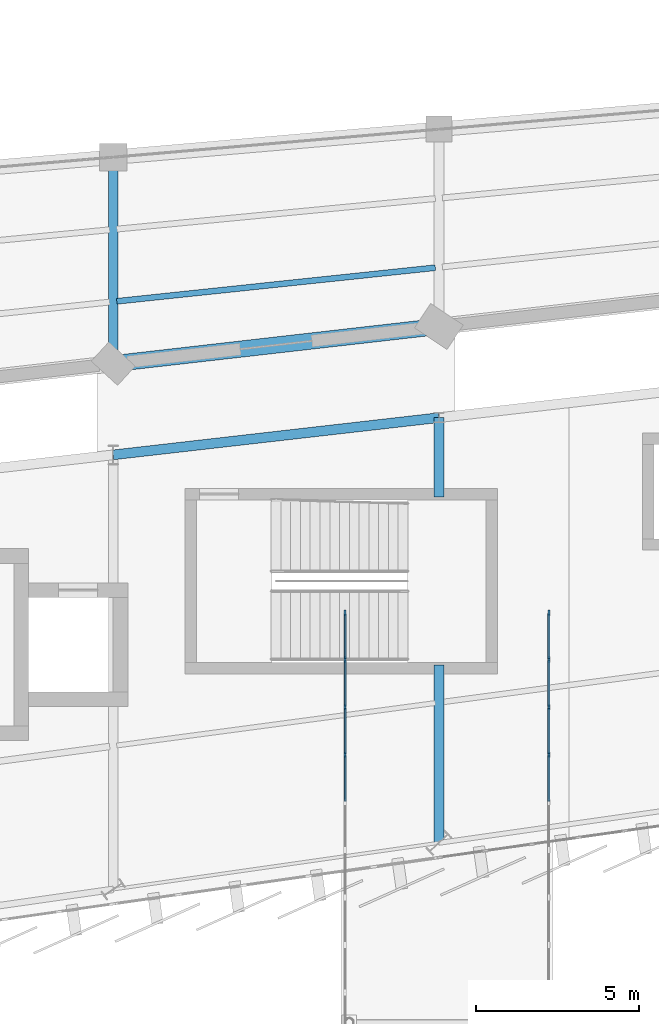
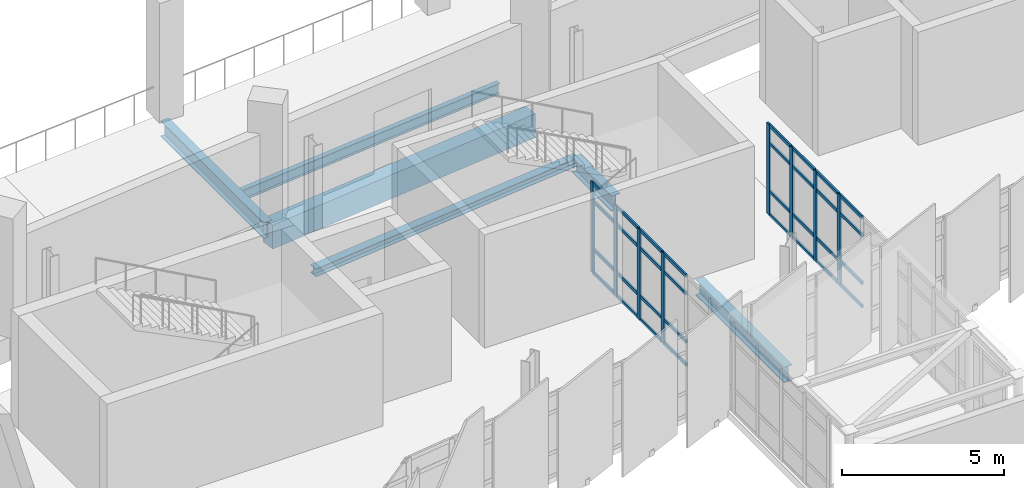
# One storey, part 44 of 125: 40 members, 6 beams, 2 elements without a shape of their own.
"""IFC4 building model written with IfcOpenShell, lengths in metres."""

from ifc_helpers import new_model, si_unit, direction, frame, origin, origin_2d, place, context, subcontext, project, spatial, rectangle, i_section, extrude, material, layer, layer_set, material_profile, profile_set, type_object, element, aggregate, save


model = new_model("IFC4")

# Units and contexts
model_context = context("Model", 3, precision=1e-05, world=origin(), true_north=direction((0.0, 1.0)))
body_context = subcontext(model_context, "Body", "Model", "MODEL_VIEW")
ifc_project = project(units=[si_unit("LENGTHUNIT", "METRE"), si_unit("AREAUNIT", "SQUARE_METRE"), si_unit("VOLUMEUNIT", "CUBIC_METRE"), si_unit("PLANEANGLEUNIT", "RADIAN"), si_unit("MASSUNIT", "GRAM", prefix="KILO")], contexts=[model_context])

# Site, building, storey
site_placement = place(None, origin())
site = spatial("IfcSite", under=ifc_project, at=site_placement, CompositionType="ELEMENT")
building_placement = place(site_placement, origin())
building = spatial("IfcBuilding", under=site, at=building_placement, Name="Sohan Crest Arena", CompositionType="ELEMENT")
storey_placement = place(building_placement, frame((0.0, 0.0, 9.0)))
storey = spatial("IfcBuildingStorey", under=building, at=storey_placement, Name="L02", CompositionType="ELEMENT", Elevation=9.0)

# Curtain wall, members
ifc_material_1 = material(Name="Thermally broken anodised aluminium", Category="aluminium")
ifc_layer = layer(ifc_material_1, 0.18994140625, Name="Thermally broken anodised aluminium")
ifc_layer_set = layer_set([ifc_layer], Name="Thermally broken anodised aluminium")
curtain_wall_type = type_object("IfcCurtainWallType", Name="ARC-CW05", PredefinedType="NOTDEFINED", material=ifc_layer_set)
curtain_wall_1_placement = place(storey_placement, origin())
curtain_wall_1 = element("IfcCurtainWall", 1, at=curtain_wall_1_placement, inside=storey, type_object=curtain_wall_type, Name="Unitised curtain wall CW-257", PredefinedType="NOTDEFINED")
ifc_material_profile_1 = material_profile(ifc_material_1, rectangle(XDim=0.06494140625, YDim=0.179931640625, at=origin_2d()), Name="ALU-MULL 65x180")
ifc_profile_set_1 = profile_set([ifc_material_profile_1], Name="Thermally broken anodised aluminium")
member_type_1 = type_object("IfcMemberType", Name="ARC-CW-ML02", PredefinedType="MULLION", material=ifc_profile_set_1)
member_1_placement = place(storey_placement, frame((135.1201171875, 38.419921875, 0.0), z_axis=(0.0, 0.0, 1.0), x_axis=(-1.0, 0.0, 0.0)))
member_1 = element("IfcMember", 2, at=member_1_placement, type_object=member_type_1, Name="CW-257 mullion 8", PredefinedType="MULLION", context=body_context, shape_type="SweptSolid", body=[
    extrude(rectangle(XDim=0.06494140625, YDim=0.179931640625, at=origin_2d()), origin(), (0.0, 0.0, 1.0), 3.39990234375),
])
member_2_placement = place(storey_placement, frame((135.1201171875, 39.8798828125, 0.0), z_axis=(0.0, 0.0, 1.0), x_axis=(-1.0, 0.0, 0.0)))
member_2 = element("IfcMember", 3, at=member_2_placement, type_object=member_type_1, Name="CW-257 mullion 9", PredefinedType="MULLION", context=body_context, shape_type="SweptSolid", body=[
    extrude(rectangle(XDim=0.06494140625, YDim=0.179931640625, at=origin_2d()), origin(), (0.0, 0.0, 1.0), 3.39990234375),
])
member_3_placement = place(storey_placement, frame((135.1201171875, 41.340087890625, 0.0), z_axis=(0.0, 0.0, 1.0), x_axis=(-1.0, 0.0, 0.0)))
member_3 = element("IfcMember", 4, at=member_3_placement, type_object=member_type_1, Name="CW-257 mullion 10", PredefinedType="MULLION", context=body_context, shape_type="SweptSolid", body=[
    extrude(rectangle(XDim=0.06494140625, YDim=0.179931640625, at=origin_2d()), origin(), (0.0, 0.0, 1.0), 3.39990234375),
])
member_4_placement = place(storey_placement, frame((135.1201171875, 42.767578125, 0.0), z_axis=(0.0, 0.0, 1.0), x_axis=(-1.0, 0.0, 0.0)))
member_4 = element("IfcMember", 5, at=member_4_placement, type_object=member_type_1, Name="CW-257 mullion 11", PredefinedType="MULLION", context=body_context, shape_type="SweptSolid", body=[
    extrude(rectangle(XDim=0.06494140625, YDim=0.179931640625, at=origin_2d()), origin(), (0.0, 0.0, 1.0), 3.39990234375),
])

curtain_wall_2_placement = place(storey_placement, origin())
curtain_wall_2 = element("IfcCurtainWall", 6, at=curtain_wall_2_placement, inside=storey, type_object=curtain_wall_type, Name="Unitised curtain wall CW-258", PredefinedType="NOTDEFINED")
member_5_placement = place(storey_placement, frame((141.3798828125, 38.419921875, 0.0), z_axis=(0.0, 0.0, 1.0), x_axis=(-1.0, 0.0, 0.0)))
member_5 = element("IfcMember", 7, at=member_5_placement, type_object=member_type_1, Name="CW-258 mullion 8", PredefinedType="MULLION", context=body_context, shape_type="SweptSolid", body=[
    extrude(rectangle(XDim=0.06494140625, YDim=0.179931640625, at=origin_2d()), origin(), (0.0, 0.0, 1.0), 3.39990234375),
])
member_6_placement = place(storey_placement, frame((141.3798828125, 39.8798828125, 0.0), z_axis=(0.0, 0.0, 1.0), x_axis=(-1.0, 0.0, 0.0)))
member_6 = element("IfcMember", 8, at=member_6_placement, type_object=member_type_1, Name="CW-258 mullion 9", PredefinedType="MULLION", context=body_context, shape_type="SweptSolid", body=[
    extrude(rectangle(XDim=0.06494140625, YDim=0.179931640625, at=origin_2d()), origin(), (0.0, 0.0, 1.0), 3.39990234375),
])
member_7_placement = place(storey_placement, frame((141.3798828125, 41.340087890625, 0.0), z_axis=(0.0, 0.0, 1.0), x_axis=(-1.0, 0.0, 0.0)))
member_7 = element("IfcMember", 9, at=member_7_placement, type_object=member_type_1, Name="CW-258 mullion 10", PredefinedType="MULLION", context=body_context, shape_type="SweptSolid", body=[
    extrude(rectangle(XDim=0.06494140625, YDim=0.179931640625, at=origin_2d()), origin(), (0.0, 0.0, 1.0), 3.39990234375),
])
member_8_placement = place(storey_placement, frame((141.3798828125, 42.767578125, 0.0), z_axis=(0.0, 0.0, 1.0), x_axis=(-1.0, 0.0, 0.0)))
member_8 = element("IfcMember", 10, at=member_8_placement, type_object=member_type_1, Name="CW-258 mullion 11", PredefinedType="MULLION", context=body_context, shape_type="SweptSolid", body=[
    extrude(rectangle(XDim=0.06494140625, YDim=0.179931640625, at=origin_2d()), origin(), (0.0, 0.0, 1.0), 3.39990234375),
])

# Member
ifc_material_profile_2 = material_profile(ifc_material_1, rectangle(XDim=0.06005859375, YDim=0.1201171875, at=origin_2d()), Name="ALU-TRAN 60x120")
ifc_profile_set_2 = profile_set([ifc_material_profile_2], Name="Thermally broken anodised aluminium")
member_type_2 = type_object("IfcMemberType", Name="ARC-CW-TR01", PredefinedType="USERDEFINED", material=ifc_profile_set_2)
member_9_placement = place(storey_placement, frame((135.1201171875, 36.992431640625, 0.030029296875), z_axis=(0.0, 1.0, 0.0), x_axis=(-1.0, 0.0, 0.0)))
member_9 = element("IfcMember", 11, at=member_9_placement, type_object=member_type_2, Name="CW-257 transom 7.1", ObjectType="TRANSOM", PredefinedType="USERDEFINED", context=body_context, shape_type="SweptSolid", body=[
    extrude(rectangle(XDim=0.06005859375, YDim=0.1201171875, at=origin_2d()), origin(), (0.0, 0.0, 1.0), 1.39501953125),
])

member_10_placement = place(storey_placement, frame((135.1201171875, 36.992431640625, 0.89990234375), z_axis=(0.0, 1.0, 0.0), x_axis=(-1.0, 0.0, 0.0)))
member_10 = element("IfcMember", 12, at=member_10_placement, type_object=member_type_2, Name="CW-257 transom 7.2", ObjectType="TRANSOM", PredefinedType="USERDEFINED", context=body_context, shape_type="SweptSolid", body=[
    extrude(rectangle(XDim=0.06005859375, YDim=0.1201171875, at=origin_2d()), origin(), (0.0, 0.0, 1.0), 1.39501953125),
])

member_11_placement = place(storey_placement, frame((135.1201171875, 36.992431640625, 2.699951171875), z_axis=(0.0, 1.0, 0.0), x_axis=(-1.0, 0.0, 0.0)))
member_11 = element("IfcMember", 13, at=member_11_placement, type_object=member_type_2, Name="CW-257 transom 7.3", ObjectType="TRANSOM", PredefinedType="USERDEFINED", context=body_context, shape_type="SweptSolid", body=[
    extrude(rectangle(XDim=0.06005859375, YDim=0.1201171875, at=origin_2d()), origin(), (0.0, 0.0, 1.0), 1.39501953125),
])

member_12_placement = place(storey_placement, frame((135.1201171875, 36.992431640625, 3.3701171875), z_axis=(0.0, 1.0, 0.0), x_axis=(-1.0, 0.0, 0.0)))
member_12 = element("IfcMember", 14, at=member_12_placement, type_object=member_type_2, Name="CW-257 transom 7.4", ObjectType="TRANSOM", PredefinedType="USERDEFINED", context=body_context, shape_type="SweptSolid", body=[
    extrude(rectangle(XDim=0.06005859375, YDim=0.1201171875, at=origin_2d()), origin(), (0.0, 0.0, 1.0), 1.39501953125),
])

member_13_placement = place(storey_placement, frame((135.1201171875, 38.452392578125, 0.030029296875), z_axis=(0.0, 1.0, 0.0), x_axis=(-1.0, 0.0, 0.0)))
member_13 = element("IfcMember", 15, at=member_13_placement, type_object=member_type_2, Name="CW-257 transom 8.1", ObjectType="TRANSOM", PredefinedType="USERDEFINED", context=body_context, shape_type="SweptSolid", body=[
    extrude(rectangle(XDim=0.06005859375, YDim=0.1201171875, at=origin_2d()), origin(), (0.0, 0.0, 1.0), 1.39501953125),
])

member_14_placement = place(storey_placement, frame((135.1201171875, 38.452392578125, 0.89990234375), z_axis=(0.0, 1.0, 0.0), x_axis=(-1.0, 0.0, 0.0)))
member_14 = element("IfcMember", 16, at=member_14_placement, type_object=member_type_2, Name="CW-257 transom 8.2", ObjectType="TRANSOM", PredefinedType="USERDEFINED", context=body_context, shape_type="SweptSolid", body=[
    extrude(rectangle(XDim=0.06005859375, YDim=0.1201171875, at=origin_2d()), origin(), (0.0, 0.0, 1.0), 1.39501953125),
])

member_15_placement = place(storey_placement, frame((135.1201171875, 38.452392578125, 2.699951171875), z_axis=(0.0, 1.0, 0.0), x_axis=(-1.0, 0.0, 0.0)))
member_15 = element("IfcMember", 17, at=member_15_placement, type_object=member_type_2, Name="CW-257 transom 8.3", ObjectType="TRANSOM", PredefinedType="USERDEFINED", context=body_context, shape_type="SweptSolid", body=[
    extrude(rectangle(XDim=0.06005859375, YDim=0.1201171875, at=origin_2d()), origin(), (0.0, 0.0, 1.0), 1.39501953125),
])

member_16_placement = place(storey_placement, frame((135.1201171875, 38.452392578125, 3.3701171875), z_axis=(0.0, 1.0, 0.0), x_axis=(-1.0, 0.0, 0.0)))
member_16 = element("IfcMember", 18, at=member_16_placement, type_object=member_type_2, Name="CW-257 transom 8.4", ObjectType="TRANSOM", PredefinedType="USERDEFINED", context=body_context, shape_type="SweptSolid", body=[
    extrude(rectangle(XDim=0.06005859375, YDim=0.1201171875, at=origin_2d()), origin(), (0.0, 0.0, 1.0), 1.39501953125),
])

member_17_placement = place(storey_placement, frame((135.1201171875, 39.91259765625, 0.030029296875), z_axis=(0.0, 1.0, 0.0), x_axis=(-1.0, 0.0, 0.0)))
member_17 = element("IfcMember", 19, at=member_17_placement, type_object=member_type_2, Name="CW-257 transom 9.1", ObjectType="TRANSOM", PredefinedType="USERDEFINED", context=body_context, shape_type="SweptSolid", body=[
    extrude(rectangle(XDim=0.06005859375, YDim=0.1201171875, at=origin_2d()), origin(), (0.0, 0.0, 1.0), 1.39501953125),
])

member_18_placement = place(storey_placement, frame((135.1201171875, 39.91259765625, 0.89990234375), z_axis=(0.0, 1.0, 0.0), x_axis=(-1.0, 0.0, 0.0)))
member_18 = element("IfcMember", 20, at=member_18_placement, type_object=member_type_2, Name="CW-257 transom 9.2", ObjectType="TRANSOM", PredefinedType="USERDEFINED", context=body_context, shape_type="SweptSolid", body=[
    extrude(rectangle(XDim=0.06005859375, YDim=0.1201171875, at=origin_2d()), origin(), (0.0, 0.0, 1.0), 1.39501953125),
])

member_19_placement = place(storey_placement, frame((135.1201171875, 39.91259765625, 2.699951171875), z_axis=(0.0, 1.0, 0.0), x_axis=(-1.0, 0.0, 0.0)))
member_19 = element("IfcMember", 21, at=member_19_placement, type_object=member_type_2, Name="CW-257 transom 9.3", ObjectType="TRANSOM", PredefinedType="USERDEFINED", context=body_context, shape_type="SweptSolid", body=[
    extrude(rectangle(XDim=0.06005859375, YDim=0.1201171875, at=origin_2d()), origin(), (0.0, 0.0, 1.0), 1.39501953125),
])

member_20_placement = place(storey_placement, frame((135.1201171875, 39.91259765625, 3.3701171875), z_axis=(0.0, 1.0, 0.0), x_axis=(-1.0, 0.0, 0.0)))
member_20 = element("IfcMember", 22, at=member_20_placement, type_object=member_type_2, Name="CW-257 transom 9.4", ObjectType="TRANSOM", PredefinedType="USERDEFINED", context=body_context, shape_type="SweptSolid", body=[
    extrude(rectangle(XDim=0.06005859375, YDim=0.1201171875, at=origin_2d()), origin(), (0.0, 0.0, 1.0), 1.39501953125),
])

member_21_placement = place(storey_placement, frame((135.1201171875, 41.37255859375, 0.030029296875), z_axis=(0.0, 1.0, 0.0), x_axis=(-1.0, 0.0, 0.0)))
member_21 = element("IfcMember", 23, at=member_21_placement, type_object=member_type_2, Name="CW-257 transom 10.1", ObjectType="TRANSOM", PredefinedType="USERDEFINED", context=body_context, shape_type="SweptSolid", body=[
    extrude(rectangle(XDim=0.06005859375, YDim=0.1201171875, at=origin_2d()), origin(), (0.0, 0.0, 1.0), 1.362548828125),
])

member_22_placement = place(storey_placement, frame((135.1201171875, 41.37255859375, 0.89990234375), z_axis=(0.0, 1.0, 0.0), x_axis=(-1.0, 0.0, 0.0)))
member_22 = element("IfcMember", 24, at=member_22_placement, type_object=member_type_2, Name="CW-257 transom 10.2", ObjectType="TRANSOM", PredefinedType="USERDEFINED", context=body_context, shape_type="SweptSolid", body=[
    extrude(rectangle(XDim=0.06005859375, YDim=0.1201171875, at=origin_2d()), origin(), (0.0, 0.0, 1.0), 1.362548828125),
])

member_23_placement = place(storey_placement, frame((135.1201171875, 41.37255859375, 2.699951171875), z_axis=(0.0, 1.0, 0.0), x_axis=(-1.0, 0.0, 0.0)))
member_23 = element("IfcMember", 25, at=member_23_placement, type_object=member_type_2, Name="CW-257 transom 10.3", ObjectType="TRANSOM", PredefinedType="USERDEFINED", context=body_context, shape_type="SweptSolid", body=[
    extrude(rectangle(XDim=0.06005859375, YDim=0.1201171875, at=origin_2d()), origin(), (0.0, 0.0, 1.0), 1.362548828125),
])

member_24_placement = place(storey_placement, frame((135.1201171875, 41.37255859375, 3.3701171875), z_axis=(0.0, 1.0, 0.0), x_axis=(-1.0, 0.0, 0.0)))
member_24 = element("IfcMember", 26, at=member_24_placement, type_object=member_type_2, Name="CW-257 transom 10.4", ObjectType="TRANSOM", PredefinedType="USERDEFINED", context=body_context, shape_type="SweptSolid", body=[
    extrude(rectangle(XDim=0.06005859375, YDim=0.1201171875, at=origin_2d()), origin(), (0.0, 0.0, 1.0), 1.362548828125),
])

aggregate(curtain_wall_1, [member_1, member_2, member_3, member_4, member_9, member_10, member_11, member_12, member_13, member_14, member_15, member_16, member_17, member_18, member_19, member_20, member_21, member_22, member_23, member_24])

member_25_placement = place(storey_placement, frame((141.3798828125, 36.992431640625, 0.030029296875), z_axis=(0.0, 1.0, 0.0), x_axis=(-1.0, 0.0, 0.0)))
member_25 = element("IfcMember", 27, at=member_25_placement, type_object=member_type_2, Name="CW-258 transom 7.1", ObjectType="TRANSOM", PredefinedType="USERDEFINED", context=body_context, shape_type="SweptSolid", body=[
    extrude(rectangle(XDim=0.06005859375, YDim=0.1201171875, at=origin_2d()), origin(), (0.0, 0.0, 1.0), 1.39501953125),
])

member_26_placement = place(storey_placement, frame((141.3798828125, 36.992431640625, 0.89990234375), z_axis=(0.0, 1.0, 0.0), x_axis=(-1.0, 0.0, 0.0)))
member_26 = element("IfcMember", 28, at=member_26_placement, type_object=member_type_2, Name="CW-258 transom 7.2", ObjectType="TRANSOM", PredefinedType="USERDEFINED", context=body_context, shape_type="SweptSolid", body=[
    extrude(rectangle(XDim=0.06005859375, YDim=0.1201171875, at=origin_2d()), origin(), (0.0, 0.0, 1.0), 1.39501953125),
])

member_27_placement = place(storey_placement, frame((141.3798828125, 36.992431640625, 2.699951171875), z_axis=(0.0, 1.0, 0.0), x_axis=(-1.0, 0.0, 0.0)))
member_27 = element("IfcMember", 29, at=member_27_placement, type_object=member_type_2, Name="CW-258 transom 7.3", ObjectType="TRANSOM", PredefinedType="USERDEFINED", context=body_context, shape_type="SweptSolid", body=[
    extrude(rectangle(XDim=0.06005859375, YDim=0.1201171875, at=origin_2d()), origin(), (0.0, 0.0, 1.0), 1.39501953125),
])

member_28_placement = place(storey_placement, frame((141.3798828125, 36.992431640625, 3.3701171875), z_axis=(0.0, 1.0, 0.0), x_axis=(-1.0, 0.0, 0.0)))
member_28 = element("IfcMember", 30, at=member_28_placement, type_object=member_type_2, Name="CW-258 transom 7.4", ObjectType="TRANSOM", PredefinedType="USERDEFINED", context=body_context, shape_type="SweptSolid", body=[
    extrude(rectangle(XDim=0.06005859375, YDim=0.1201171875, at=origin_2d()), origin(), (0.0, 0.0, 1.0), 1.39501953125),
])

member_29_placement = place(storey_placement, frame((141.3798828125, 38.452392578125, 0.030029296875), z_axis=(0.0, 1.0, 0.0), x_axis=(-1.0, 0.0, 0.0)))
member_29 = element("IfcMember", 31, at=member_29_placement, type_object=member_type_2, Name="CW-258 transom 8.1", ObjectType="TRANSOM", PredefinedType="USERDEFINED", context=body_context, shape_type="SweptSolid", body=[
    extrude(rectangle(XDim=0.06005859375, YDim=0.1201171875, at=origin_2d()), origin(), (0.0, 0.0, 1.0), 1.39501953125),
])

member_30_placement = place(storey_placement, frame((141.3798828125, 38.452392578125, 0.89990234375), z_axis=(0.0, 1.0, 0.0), x_axis=(-1.0, 0.0, 0.0)))
member_30 = element("IfcMember", 32, at=member_30_placement, type_object=member_type_2, Name="CW-258 transom 8.2", ObjectType="TRANSOM", PredefinedType="USERDEFINED", context=body_context, shape_type="SweptSolid", body=[
    extrude(rectangle(XDim=0.06005859375, YDim=0.1201171875, at=origin_2d()), origin(), (0.0, 0.0, 1.0), 1.39501953125),
])

member_31_placement = place(storey_placement, frame((141.3798828125, 38.452392578125, 2.699951171875), z_axis=(0.0, 1.0, 0.0), x_axis=(-1.0, 0.0, 0.0)))
member_31 = element("IfcMember", 33, at=member_31_placement, type_object=member_type_2, Name="CW-258 transom 8.3", ObjectType="TRANSOM", PredefinedType="USERDEFINED", context=body_context, shape_type="SweptSolid", body=[
    extrude(rectangle(XDim=0.06005859375, YDim=0.1201171875, at=origin_2d()), origin(), (0.0, 0.0, 1.0), 1.39501953125),
])

member_32_placement = place(storey_placement, frame((141.3798828125, 38.452392578125, 3.3701171875), z_axis=(0.0, 1.0, 0.0), x_axis=(-1.0, 0.0, 0.0)))
member_32 = element("IfcMember", 34, at=member_32_placement, type_object=member_type_2, Name="CW-258 transom 8.4", ObjectType="TRANSOM", PredefinedType="USERDEFINED", context=body_context, shape_type="SweptSolid", body=[
    extrude(rectangle(XDim=0.06005859375, YDim=0.1201171875, at=origin_2d()), origin(), (0.0, 0.0, 1.0), 1.39501953125),
])

member_33_placement = place(storey_placement, frame((141.3798828125, 39.91259765625, 0.030029296875), z_axis=(0.0, 1.0, 0.0), x_axis=(-1.0, 0.0, 0.0)))
member_33 = element("IfcMember", 35, at=member_33_placement, type_object=member_type_2, Name="CW-258 transom 9.1", ObjectType="TRANSOM", PredefinedType="USERDEFINED", context=body_context, shape_type="SweptSolid", body=[
    extrude(rectangle(XDim=0.06005859375, YDim=0.1201171875, at=origin_2d()), origin(), (0.0, 0.0, 1.0), 1.39501953125),
])

member_34_placement = place(storey_placement, frame((141.3798828125, 39.91259765625, 0.89990234375), z_axis=(0.0, 1.0, 0.0), x_axis=(-1.0, 0.0, 0.0)))
member_34 = element("IfcMember", 36, at=member_34_placement, type_object=member_type_2, Name="CW-258 transom 9.2", ObjectType="TRANSOM", PredefinedType="USERDEFINED", context=body_context, shape_type="SweptSolid", body=[
    extrude(rectangle(XDim=0.06005859375, YDim=0.1201171875, at=origin_2d()), origin(), (0.0, 0.0, 1.0), 1.39501953125),
])

member_35_placement = place(storey_placement, frame((141.3798828125, 39.91259765625, 2.699951171875), z_axis=(0.0, 1.0, 0.0), x_axis=(-1.0, 0.0, 0.0)))
member_35 = element("IfcMember", 37, at=member_35_placement, type_object=member_type_2, Name="CW-258 transom 9.3", ObjectType="TRANSOM", PredefinedType="USERDEFINED", context=body_context, shape_type="SweptSolid", body=[
    extrude(rectangle(XDim=0.06005859375, YDim=0.1201171875, at=origin_2d()), origin(), (0.0, 0.0, 1.0), 1.39501953125),
])

member_36_placement = place(storey_placement, frame((141.3798828125, 39.91259765625, 3.3701171875), z_axis=(0.0, 1.0, 0.0), x_axis=(-1.0, 0.0, 0.0)))
member_36 = element("IfcMember", 38, at=member_36_placement, type_object=member_type_2, Name="CW-258 transom 9.4", ObjectType="TRANSOM", PredefinedType="USERDEFINED", context=body_context, shape_type="SweptSolid", body=[
    extrude(rectangle(XDim=0.06005859375, YDim=0.1201171875, at=origin_2d()), origin(), (0.0, 0.0, 1.0), 1.39501953125),
])

member_37_placement = place(storey_placement, frame((141.3798828125, 41.37255859375, 0.030029296875), z_axis=(0.0, 1.0, 0.0), x_axis=(-1.0, 0.0, 0.0)))
member_37 = element("IfcMember", 39, at=member_37_placement, type_object=member_type_2, Name="CW-258 transom 10.1", ObjectType="TRANSOM", PredefinedType="USERDEFINED", context=body_context, shape_type="SweptSolid", body=[
    extrude(rectangle(XDim=0.06005859375, YDim=0.1201171875, at=origin_2d()), origin(), (0.0, 0.0, 1.0), 1.362548828125),
])

member_38_placement = place(storey_placement, frame((141.3798828125, 41.37255859375, 0.89990234375), z_axis=(0.0, 1.0, 0.0), x_axis=(-1.0, 0.0, 0.0)))
member_38 = element("IfcMember", 40, at=member_38_placement, type_object=member_type_2, Name="CW-258 transom 10.2", ObjectType="TRANSOM", PredefinedType="USERDEFINED", context=body_context, shape_type="SweptSolid", body=[
    extrude(rectangle(XDim=0.06005859375, YDim=0.1201171875, at=origin_2d()), origin(), (0.0, 0.0, 1.0), 1.362548828125),
])

member_39_placement = place(storey_placement, frame((141.3798828125, 41.37255859375, 2.699951171875), z_axis=(0.0, 1.0, 0.0), x_axis=(-1.0, 0.0, 0.0)))
member_39 = element("IfcMember", 41, at=member_39_placement, type_object=member_type_2, Name="CW-258 transom 10.3", ObjectType="TRANSOM", PredefinedType="USERDEFINED", context=body_context, shape_type="SweptSolid", body=[
    extrude(rectangle(XDim=0.06005859375, YDim=0.1201171875, at=origin_2d()), origin(), (0.0, 0.0, 1.0), 1.362548828125),
])

member_40_placement = place(storey_placement, frame((141.3798828125, 41.37255859375, 3.3701171875), z_axis=(0.0, 1.0, 0.0), x_axis=(-1.0, 0.0, 0.0)))
member_40 = element("IfcMember", 42, at=member_40_placement, type_object=member_type_2, Name="CW-258 transom 10.4", ObjectType="TRANSOM", PredefinedType="USERDEFINED", context=body_context, shape_type="SweptSolid", body=[
    extrude(rectangle(XDim=0.06005859375, YDim=0.1201171875, at=origin_2d()), origin(), (0.0, 0.0, 1.0), 1.362548828125),
])

aggregate(curtain_wall_2, [member_5, member_6, member_7, member_8, member_25, member_26, member_27, member_28, member_29, member_30, member_31, member_32, member_33, member_34, member_35, member_36, member_37, member_38, member_39, member_40])

# Beams
ifc_material_2 = material(Name="Steel S355", Category="steel")
ifc_material_profile_3 = material_profile(ifc_material_2, i_section(OverallWidth=0.179931640625, OverallDepth=0.39990234375, WebThickness=0.008544921875, FlangeThickness=0.013427734375, at=origin_2d()), Name="IPE 400")
ifc_profile_set_3 = profile_set([ifc_material_profile_3], Name="Steel S355")
beam_type_1 = type_object("IfcBeamType", Name="STR-BM-B03", PredefinedType="JOIST", material=ifc_profile_set_3)
beam_1_placement = place(storey_placement, frame((128.10888671875, 52.343994140625, -0.449951171875), z_axis=(0.994481354784, 0.104913464278, 0.0), x_axis=(-0.104913464278, 0.994481354784, 0.0)))
element("IfcBeam", 43, at=beam_1_placement, inside=storey, type_object=beam_type_1, Name="Structural beam J-L02-0403", PredefinedType="JOIST", context=body_context, shape_type="SweptSolid", body=[
    extrude(i_section(OverallWidth=0.179931640625, OverallDepth=0.39990234375, WebThickness=0.008544921875, FlangeThickness=0.013427734375, at=origin_2d()), origin(), (0.0, 0.0, 1.0), 9.83642578125),
])
ifc_material_profile_4 = material_profile(ifc_material_2, i_section(OverallWidth=0.300048828125, OverallDepth=0.590087890625, WebThickness=0.012939453125, FlangeThickness=0.02490234375, at=origin_2d()), Name="HEA 600")
ifc_profile_set_4 = profile_set([ifc_material_profile_4], Name="Steel S355")
beam_type_2 = type_object("IfcBeamType", Name="STR-BM-B11", PredefinedType="BEAM", material=ifc_profile_set_4)
beam_2_placement = place(storey_placement, frame((128.0, 56.77099609375, -0.544921875), z_axis=(0.0, -1.0, 0.0), x_axis=(1.0, 0.0, 0.0)))
element("IfcBeam", 44, at=beam_2_placement, inside=storey, type_object=beam_type_2, Name="Structural beam G-L02-0401", PredefinedType="BEAM", context=body_context, shape_type="SweptSolid", body=[
    extrude(i_section(OverallWidth=0.300048828125, OverallDepth=0.590087890625, WebThickness=0.012939453125, FlangeThickness=0.02490234375, at=origin_2d()), origin(), (0.0, 0.0, 1.0), 6.342041015625),
])
beam_3_placement = place(storey_placement, frame((138.0, 48.77099609375, -0.544921875), z_axis=(0.0, -1.0, 0.0), x_axis=(1.0, 0.0, 0.0)))
element("IfcBeam", 45, at=beam_3_placement, inside=storey, type_object=beam_type_2, Name="Structural beam G-L02-1311", PredefinedType="BEAM", context=body_context, shape_type="SweptSolid", body=[
    extrude(i_section(OverallWidth=0.300048828125, OverallDepth=0.590087890625, WebThickness=0.012939453125, FlangeThickness=0.02490234375, at=origin_2d()), origin(), (0.0, 0.0, 1.0), 2.44091796875),
])
beam_4_placement = place(storey_placement, frame((138.0, 41.169921875, -0.544921875), z_axis=(0.0, -1.0, 0.0), x_axis=(1.0, 0.0, 0.0)))
element("IfcBeam", 46, at=beam_4_placement, inside=storey, type_object=beam_type_2, Name="Structural beam G-L02-1312", PredefinedType="BEAM", context=body_context, shape_type="SweptSolid", body=[
    extrude(i_section(OverallWidth=0.300048828125, OverallDepth=0.590087890625, WebThickness=0.012939453125, FlangeThickness=0.02490234375, at=origin_2d()), origin(), (0.0, 0.0, 1.0), 5.455810546875),
])
ifc_material_profile_5 = material_profile(ifc_material_2, i_section(OverallWidth=0.300048828125, OverallDepth=0.300048828125, WebThickness=0.010986328125, FlangeThickness=0.01904296875, at=origin_2d()), Name="HEB 300")
ifc_profile_set_5 = profile_set([ifc_material_profile_5], Name="Steel S355")
beam_type_3 = type_object("IfcBeamType", Name="STR-BM-B12", PredefinedType="BEAM", material=ifc_profile_set_5)
beam_5_placement = place(storey_placement, frame((128.0, 47.62890625, -0.39990234375), z_axis=(0.993541269973, 0.113471339378, 0.0), x_axis=(-0.113471339378, 0.993541269973, 0.0)))
element("IfcBeam", 47, at=beam_5_placement, inside=storey, type_object=beam_type_3, Name="Structural beam G-L02-1308", PredefinedType="BEAM", context=body_context, shape_type="SweptSolid", body=[
    extrude(i_section(OverallWidth=0.300048828125, OverallDepth=0.300048828125, WebThickness=0.010986328125, FlangeThickness=0.01904296875, at=origin_2d()), origin(), (0.0, 0.0, 1.0), 10.06494140625),
])
ifc_material_3 = material(Name="Concrete C40/50", Category="concrete")
ifc_material_profile_6 = material_profile(ifc_material_3, rectangle(XDim=0.5, YDim=0.89990234375, at=origin_2d()), Name="RC-BM 500x900")
ifc_profile_set_6 = profile_set([ifc_material_profile_6], Name="Concrete C40/50")
beam_type_4 = type_object("IfcBeamType", Name="STR-BM-TB03", PredefinedType="BEAM", material=ifc_profile_set_6)
beam_6_placement = place(storey_placement, frame((128.0, 50.428955078125, -0.699951171875), z_axis=(0.993541269973, 0.113471339378, 0.0), x_axis=(-0.113471339378, 0.993541269973, 0.0)))
element("IfcBeam", 48, at=beam_6_placement, inside=storey, type_object=beam_type_4, Name="Structural beam TB-L02-0400", PredefinedType="BEAM", context=body_context, shape_type="SweptSolid", body=[
    extrude(rectangle(XDim=0.5, YDim=0.89990234375, at=origin_2d()), origin(), (0.0, 0.0, 1.0), 10.06494140625),
])

save(model, "model.ifc")
